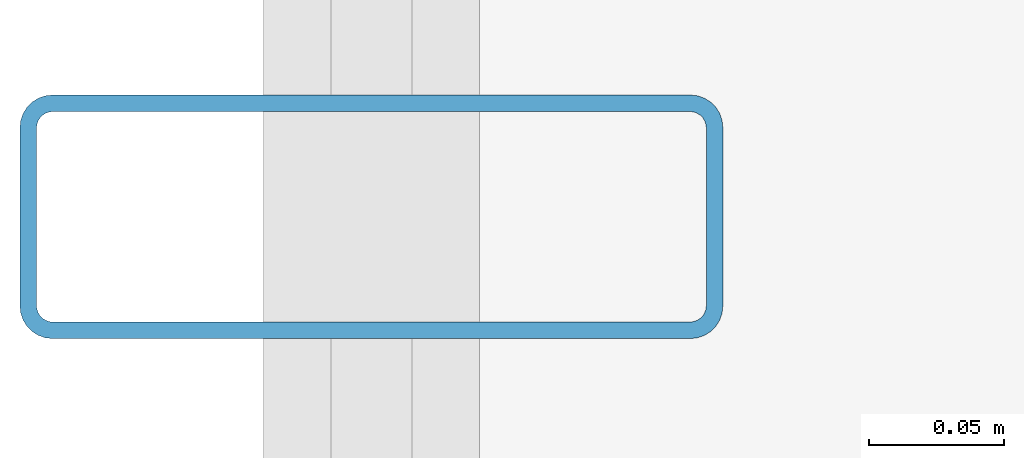
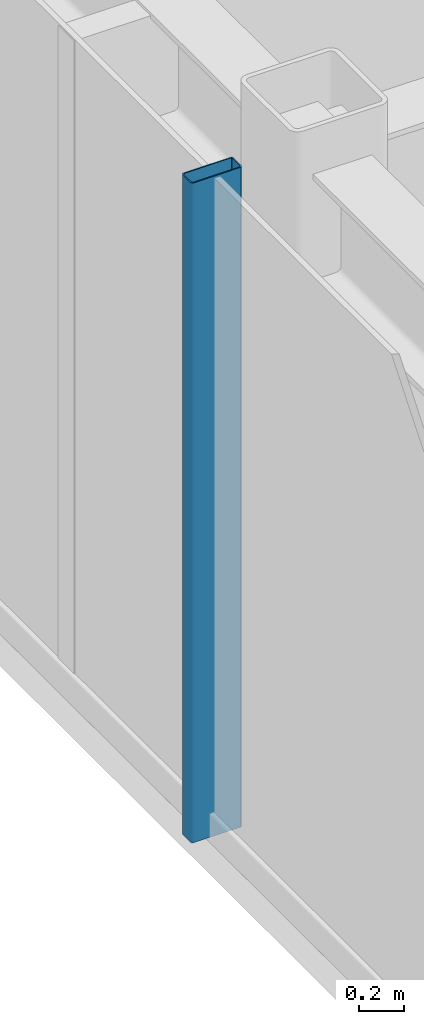
# One storey, part 4 of 18: 1 member, 1 element without a shape of its own.
"""IFC4 building model written with IfcOpenShell, lengths in metres."""

from ifc_helpers import new_model, si_unit, direction, frame, origin, origin_2d, place, context, subcontext, project, spatial, hollow_rectangle, extrude, source, transform, mapped, material, layer, layer_set, material_profile, profile_set, type_object, element, aggregate, save


model = new_model("IFC4")

# Units and contexts
model_context = context("Model", 3, precision=1e-05, world=origin(), true_north=direction((0.0, 1.0)))
body_context = subcontext(model_context, "Body", "Model", "MODEL_VIEW")
ifc_project = project(units=[si_unit("LENGTHUNIT", "METRE"), si_unit("AREAUNIT", "SQUARE_METRE"), si_unit("VOLUMEUNIT", "CUBIC_METRE"), si_unit("PLANEANGLEUNIT", "RADIAN"), si_unit("MASSUNIT", "GRAM", prefix="KILO")], contexts=[model_context])

# Site, building, storey
site_placement = place(None, origin())
site = spatial("IfcSite", under=ifc_project, at=site_placement, CompositionType="ELEMENT")
building_placement = place(site_placement, origin())
building = spatial("IfcBuilding", under=site, at=building_placement, Name="Nefas-Gora Pilgrimage Tower", CompositionType="ELEMENT")
storey_placement = place(building_placement, frame((0.0, 0.0, 291.199951171875)))
storey = spatial("IfcBuildingStorey", under=building, at=storey_placement, Name="L73", CompositionType="ELEMENT", Elevation=291.199951171875)

# Curtain wall, member
ifc_material_1 = material(Name="Dark ceramic-fritted solar-control aluminium-glass curtain wall", Category="aluminium")
ifc_layer = layer(ifc_material_1, 0.219970703125)
ifc_layer_set = layer_set([ifc_layer], Name="Dark ceramic-fritted solar-control aluminium-glass curtain wall")
curtain_wall_type = type_object("IfcCurtainWallType", Name="CW-SYS-4", PredefinedType="NOTDEFINED", material=ifc_layer_set)
curtain_wall_placement = place(storey_placement, origin())
curtain_wall = element("IfcCurtainWall", 1, at=curtain_wall_placement, inside=storey, type_object=curtain_wall_type, Name="L73 Unitised Curtain Wall CW4", PredefinedType="NOTDEFINED")
ifc_material_2 = material(Name="Anodised architectural aluminium", Category="aluminium")
ifc_material_profile = material_profile(ifc_material_2, hollow_rectangle(XDim=0.090087890625, YDim=0.260009765625, WallThickness=0.006103515625, InnerFilletRadius=0.006103515625, OuterFilletRadius=0.011962890625, at=origin_2d()), Name="ALU MULLION 90x260")
ifc_profile_set = profile_set([ifc_material_profile], Name="Anodised architectural aluminium")
member_type = type_object("IfcMemberType", Name="CWM-MUL-4", PredefinedType="MULLION", material=ifc_profile_set)
shared_shape = source(origin(), body_context, "Body", "SweptSolid", [
    extrude(hollow_rectangle(XDim=0.090087890625, YDim=0.260009765625, WallThickness=0.006103515625, InnerFilletRadius=0.006103515625, OuterFilletRadius=0.011962890625, at=origin_2d()), origin(), (0.0, 0.0, 1.0), 3.550048828125),
])
member_placement = place(storey_placement, frame((-25.27001953125, 0.0, 0.0), z_axis=(0.0, 0.0, 1.0), x_axis=(0.0, -1.0, 0.0)))
member = element("IfcMember", 2, at=member_placement, type_object=member_type, Name="CW4 Mullion 2", PredefinedType="MULLION", context=body_context, shape_type="MappedRepresentation", body=[
    mapped(shared_shape, transform((0.0, 0.0, 0.0), x_axis=(1.0, 0.0, 0.0), y_axis=(0.0, 1.0, 0.0), z_axis=(0.0, 0.0, 1.0), scale=1.0)),
])
aggregate(curtain_wall, [member])

save(model, "model.ifc")
